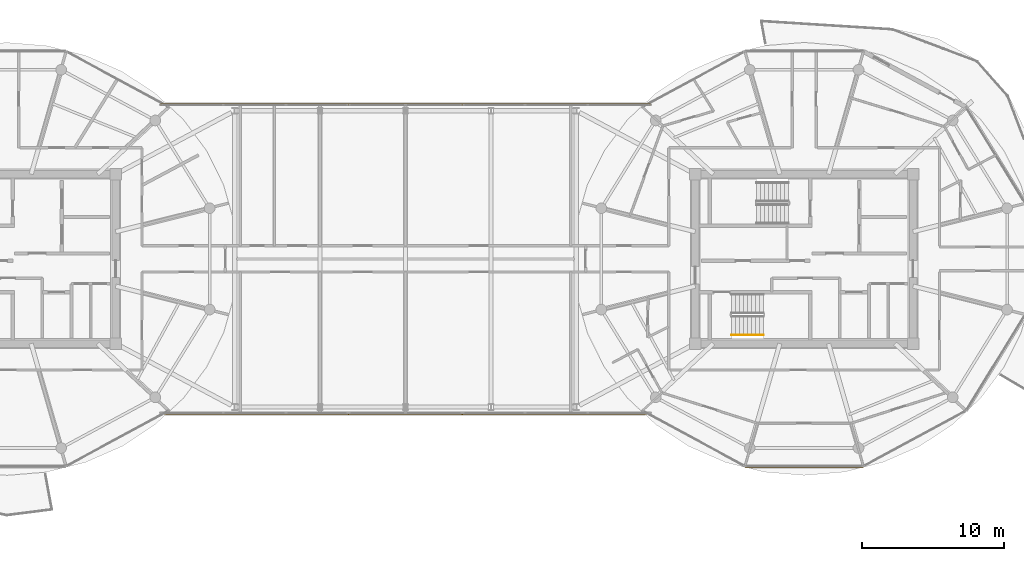
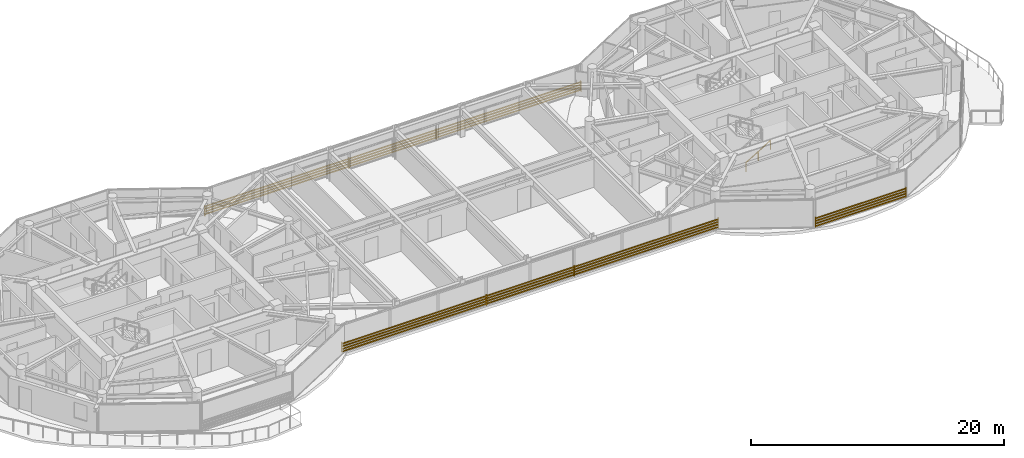
# One storey, part 22 of 23: 7 shading devices, 1 railing.
"""IFC4 building model written with IfcOpenShell, lengths in metres."""

from ifc_helpers import new_model, si_unit, direction, frame, origin, origin_2d, place, context, subcontext, project, spatial, rectangle, extrude, source, transform, mapped, material, type_object, type_shapes, element, save


model = new_model("IFC4")

# Units and contexts
model_context = context("Model", 3, precision=1e-05, world=origin(), true_north=direction((0.0, 1.0)))
body_context = subcontext(model_context, "Body", "Model", "MODEL_VIEW")
ifc_project = project(units=[si_unit("LENGTHUNIT", "METRE"), si_unit("AREAUNIT", "SQUARE_METRE"), si_unit("VOLUMEUNIT", "CUBIC_METRE"), si_unit("PLANEANGLEUNIT", "RADIAN"), si_unit("MASSUNIT", "GRAM", prefix="KILO")], contexts=[model_context])

# Site, building, storey
site_placement = place(None, origin())
site = spatial("IfcSite", under=ifc_project, at=site_placement, CompositionType="ELEMENT")
building_placement = place(site_placement, origin())
building = spatial("IfcBuilding", under=site, at=building_placement, Name="Norrkilde Senior Care Towers", CompositionType="ELEMENT")
storey_placement = place(building_placement, frame((0.0, 0.0, 220.0)))
storey = spatial("IfcBuildingStorey", under=building, at=storey_placement, Name="L68", CompositionType="ELEMENT", Elevation=220.0)

# Railing
ifc_material_1 = material(Name="Nordic Ash Timber", Category="wood")
railing_type = type_object("IfcRailingType", Name="Wall and Stair Handrail 900", PredefinedType="HANDRAIL", material=ifc_material_1)
railing_placement = place(storey_placement, frame((22.89990234375, -5.35009765625, 0.16943359375)))
element("IfcRailing", 1, at=railing_placement, inside=storey, type_object=railing_type, Name="L68 ST-E2 stair handrail 1", PredefinedType="HANDRAIL", context=body_context, shape_type="SweptSolid", body=[
    extrude(rectangle(XDim=0.048095703125, YDim=0.048095703125, at=origin_2d()), frame((0.0, 0.0, 0.8759765625), z_axis=(0.855553338991, 0.0, 0.51771467445), x_axis=(0.0, 1.0, 0.0)), (0.0, 0.0, 1.0), 2.6181640625),
    extrude(rectangle(XDim=0.0419921875, YDim=0.0419921875, at=origin_2d()), origin(), (0.0, 0.0, 1.0), 0.849853515625),
    extrude(rectangle(XDim=0.0419921875, YDim=0.0419921875, at=origin_2d()), frame((1.1201171875, 0.0, 0.677734375)), (0.0, 0.0, 1.0), 0.849853515625),
    extrude(rectangle(XDim=0.0419921875, YDim=0.0419921875, at=origin_2d()), frame((2.239990234375, 0.0, 1.35546875)), (0.0, 0.0, 1.0), 0.849853515625),
])

# Shading devices
ifc_material_2 = material(Name="Architectural Terracotta", Category="masonry")
shading_device_type = type_object("IfcShadingDeviceType", Name="Horizontal Terracotta Baguette Rack", PredefinedType="USERDEFINED", material=ifc_material_2)
shared_shape_1 = source(origin(), body_context, "Body", "SweptSolid", [
    extrude(rectangle(XDim=0.070068359375, YDim=0.110107421875, at=origin_2d()), frame((0.0, 0.090087890625, 0.125), z_axis=(1.0, 0.0, 0.0), x_axis=(0.0, 1.0, 0.0)), (0.0, 0.0, 1.0), 8.32373046875),
    extrude(rectangle(XDim=0.070068359375, YDim=0.110107421875, at=origin_2d()), frame((0.0, 0.090087890625, 0.375), z_axis=(1.0, 0.0, 0.0), x_axis=(0.0, 1.0, 0.0)), (0.0, 0.0, 1.0), 8.32373046875),
    extrude(rectangle(XDim=0.070068359375, YDim=0.110107421875, at=origin_2d()), frame((0.0, 0.090087890625, 0.625), z_axis=(1.0, 0.0, 0.0), x_axis=(0.0, 1.0, 0.0)), (0.0, 0.0, 1.0), 8.32373046875),
    extrude(rectangle(XDim=0.070068359375, YDim=0.110107421875, at=origin_2d()), frame((0.0, 0.090087890625, 0.875), z_axis=(1.0, 0.0, 0.0), x_axis=(0.0, 1.0, 0.0)), (0.0, 0.0, 1.0), 8.32373046875),
    extrude(rectangle(XDim=0.050048828125, YDim=0.1552734375, at=origin_2d()), frame((0.02490234375, 0.047607421875, 0.0)), (0.0, 0.0, 1.0), 1.0),
    extrude(rectangle(XDim=0.050048828125, YDim=0.1552734375, at=origin_2d()), frame((8.298828125, 0.047607421875, 0.0)), (0.0, 0.0, 1.0), 1.0),
])
shading_device_placement = place(storey_placement, frame((32.161865234375, -14.566162109375, 0.080078125), z_axis=(0.0, 0.0, 1.0), x_axis=(-1.0, 0.0, 0.0)))
element("IfcShadingDevice", 2, at=shading_device_placement, inside=storey, type_object=shading_device_type, Name="L68 Drum E Terracotta Baguette Screen 08", ObjectType="BAGUETTE", PredefinedType="USERDEFINED", context=body_context, shape_type="MappedRepresentation", body=[
    mapped(shared_shape_1, transform((0.0, 0.0, 0.0), x_axis=(1.0, 0.0, 0.0), y_axis=(0.0, 1.0, 0.0), z_axis=(0.0, 0.0, 1.0), scale=1.0)),
])
shared_shape_2 = source(origin(), body_context, "Body", "SweptSolid", [
    extrude(rectangle(XDim=0.070068359375, YDim=0.110107421875, at=origin_2d()), frame((0.0, 0.090087890625, 0.125), z_axis=(1.0, 0.0, 0.0), x_axis=(0.0, 1.0, 0.0)), (0.0, 0.0, 1.0), 13.199951171875),
    extrude(rectangle(XDim=0.070068359375, YDim=0.110107421875, at=origin_2d()), frame((0.0, 0.090087890625, 0.375), z_axis=(1.0, 0.0, 0.0), x_axis=(0.0, 1.0, 0.0)), (0.0, 0.0, 1.0), 13.199951171875),
    extrude(rectangle(XDim=0.070068359375, YDim=0.110107421875, at=origin_2d()), frame((0.0, 0.090087890625, 0.625), z_axis=(1.0, 0.0, 0.0), x_axis=(0.0, 1.0, 0.0)), (0.0, 0.0, 1.0), 13.199951171875),
    extrude(rectangle(XDim=0.070068359375, YDim=0.110107421875, at=origin_2d()), frame((0.0, 0.090087890625, 0.875), z_axis=(1.0, 0.0, 0.0), x_axis=(0.0, 1.0, 0.0)), (0.0, 0.0, 1.0), 13.199951171875),
    extrude(rectangle(XDim=0.050048828125, YDim=0.1552734375, at=origin_2d()), frame((0.02490234375, 0.047607421875, 0.0)), (0.0, 0.0, 1.0), 1.0),
    extrude(rectangle(XDim=0.050048828125, YDim=0.1552734375, at=origin_2d()), frame((13.1748046875, 0.047607421875, 0.0)), (0.0, 0.0, 1.0), 1.0),
])
for number, where, z_axis, x_axis, name in (
    (3, (-17.199951171875, 10.820068359375, 0.080078125), (0.0, 0.0, 1.0), (1.0, 0.0, 0.0), "L68 Bridge North Baguette Screen 1"),
    (4, (4.0, 10.820068359375, 0.080078125), (0.0, 0.0, 1.0), (1.0, 0.0, 0.0), "L68 Bridge North Baguette Screen 3"),
    (5, (17.199951171875, -10.820068359375, 0.080078125), (0.0, 0.0, 1.0), (-1.0, 0.0, 0.0), "L68 Bridge South Baguette Screen 1"),
    (6, (-4.0, -10.820068359375, 0.080078125), (0.0, 0.0, 1.0), (-1.0, 0.0, 0.0), "L68 Bridge South Baguette Screen 3"),
):
    element("IfcShadingDevice", number, at=place(storey_placement, frame(where, z_axis=z_axis, x_axis=x_axis)), inside=storey, type_object=shading_device_type, Name=name, ObjectType="BAGUETTE", PredefinedType="USERDEFINED", context=body_context, shape_type="MappedRepresentation", body=[
        mapped(shared_shape_2, transform((0.0, 0.0, 0.0), x_axis=(1.0, 0.0, 0.0), y_axis=(0.0, 1.0, 0.0), z_axis=(0.0, 0.0, 1.0), scale=1.0)),
    ])
shared_shape_3 = source(origin(), body_context, "Body", "SweptSolid", [
    extrude(rectangle(XDim=0.070068359375, YDim=0.110107421875, at=origin_2d()), frame((0.0, 0.090087890625, 0.125), z_axis=(1.0, 0.0, 0.0), x_axis=(0.0, 1.0, 0.0)), (0.0, 0.0, 1.0), 8.0),
    extrude(rectangle(XDim=0.070068359375, YDim=0.110107421875, at=origin_2d()), frame((0.0, 0.090087890625, 0.375), z_axis=(1.0, 0.0, 0.0), x_axis=(0.0, 1.0, 0.0)), (0.0, 0.0, 1.0), 8.0),
    extrude(rectangle(XDim=0.070068359375, YDim=0.110107421875, at=origin_2d()), frame((0.0, 0.090087890625, 0.625), z_axis=(1.0, 0.0, 0.0), x_axis=(0.0, 1.0, 0.0)), (0.0, 0.0, 1.0), 8.0),
    extrude(rectangle(XDim=0.070068359375, YDim=0.110107421875, at=origin_2d()), frame((0.0, 0.090087890625, 0.875), z_axis=(1.0, 0.0, 0.0), x_axis=(0.0, 1.0, 0.0)), (0.0, 0.0, 1.0), 8.0),
    extrude(rectangle(XDim=0.050048828125, YDim=0.1552734375, at=origin_2d()), frame((0.02490234375, 0.047607421875, 0.0)), (0.0, 0.0, 1.0), 1.0),
    extrude(rectangle(XDim=0.050048828125, YDim=0.1552734375, at=origin_2d()), frame((7.97509765625, 0.047607421875, 0.0)), (0.0, 0.0, 1.0), 1.0),
])
type_shapes(shading_device_type, [shared_shape_1, shared_shape_2, shared_shape_3])
for number, where, z_axis, x_axis, name in (
    (7, (-4.0, 10.820068359375, 0.080078125), (0.0, 0.0, 1.0), (1.0, 0.0, 0.0), "L68 Bridge North Baguette Screen 2"),
    (8, (4.0, -10.820068359375, 0.080078125), (0.0, 0.0, 1.0), (-1.0, 0.0, 0.0), "L68 Bridge South Baguette Screen 2"),
):
    element("IfcShadingDevice", number, at=place(storey_placement, frame(where, z_axis=z_axis, x_axis=x_axis)), inside=storey, type_object=shading_device_type, Name=name, ObjectType="BAGUETTE", PredefinedType="USERDEFINED", context=body_context, shape_type="MappedRepresentation", body=[
        mapped(shared_shape_3, transform((0.0, 0.0, 0.0), x_axis=(1.0, 0.0, 0.0), y_axis=(0.0, 1.0, 0.0), z_axis=(0.0, 0.0, 1.0), scale=1.0)),
    ])

save(model, "model.ifc")
